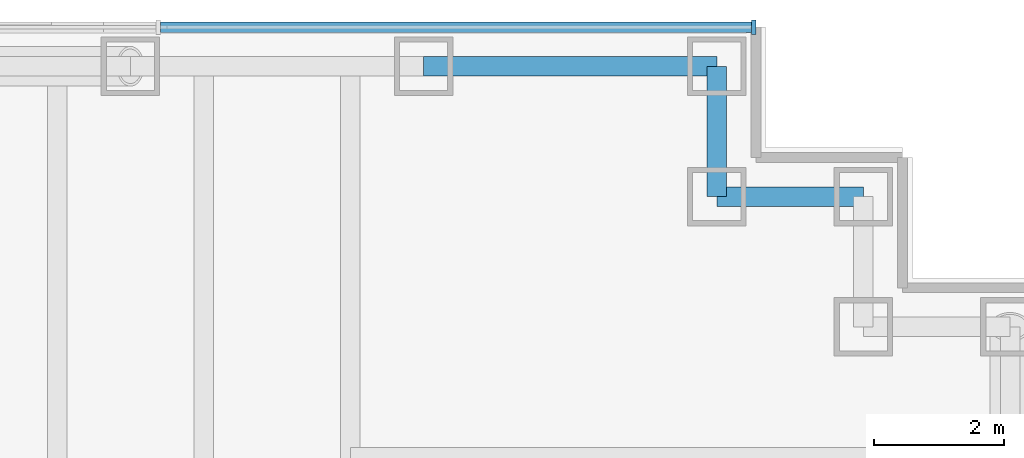
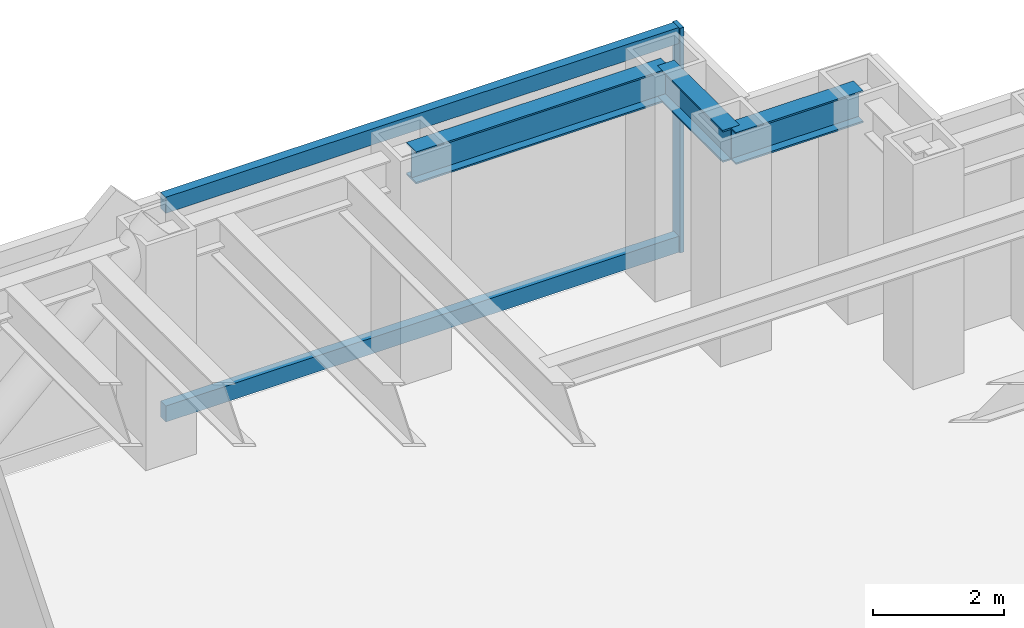
# One storey, part 8 of 14: 3 beams, 3 members, 1 element without a shape of its own.
"""IFC4 building model written with IfcOpenShell, lengths in metres."""

from ifc_helpers import new_model, si_unit, direction, frame, origin, origin_2d, place, context, subcontext, project, spatial, rectangle, i_section, extrude, material, material_profile, profile_set, type_object, element, aggregate, save


model = new_model("IFC4")

# Units and contexts
model_context = context("Model", 3, precision=1e-05, world=origin(), true_north=direction((0.0, 1.0)))
body_context = subcontext(model_context, "Body", "Model", "MODEL_VIEW")
ifc_project = project(units=[si_unit("LENGTHUNIT", "METRE"), si_unit("AREAUNIT", "SQUARE_METRE"), si_unit("VOLUMEUNIT", "CUBIC_METRE"), si_unit("PLANEANGLEUNIT", "RADIAN"), si_unit("MASSUNIT", "GRAM", prefix="KILO")], contexts=[model_context])

# Site, building, storey
site_placement = place(None, origin())
site = spatial("IfcSite", under=ifc_project, at=site_placement, CompositionType="ELEMENT")
building_placement = place(site_placement, origin())
building = spatial("IfcBuilding", under=site, at=building_placement, Name="Rheinbord Bourse Tower", CompositionType="ELEMENT")
storey_placement = place(building_placement, frame((0.0, 0.0, 232.0)))
storey = spatial("IfcBuildingStorey", under=building, at=storey_placement, Name="L52", CompositionType="ELEMENT", Elevation=232.0)

# Curtain wall, members
ifc_material_1 = material(Name="Dark glass and black aluminium", Category="aluminium")
curtain_wall_type = type_object("IfcCurtainWallType", Name="CW2 DARK GLASS CURTAIN WALL", PredefinedType="USERDEFINED", material=ifc_material_1)
curtain_wall_placement = place(storey_placement, origin())
curtain_wall = element("IfcCurtainWall", 1, at=curtain_wall_placement, inside=storey, type_object=curtain_wall_type, Name="Curtain wall CW2 N L52", ObjectType="UNITISED CURTAIN WALL", PredefinedType="USERDEFINED")
ifc_material_2 = material(Name="Black anodised aluminium", Category="aluminium")
ifc_material_profile_1 = material_profile(ifc_material_2, rectangle(XDim=0.219970703125, YDim=0.070068359375, at=origin_2d()), Name="CW2 MULLION 70x220")
ifc_profile_set_1 = profile_set([ifc_material_profile_1], Name="Black anodised aluminium")
member_type_1 = type_object("IfcMemberType", Name="CW2 BLACK MULLION", PredefinedType="MULLION", material=ifc_profile_set_1)
member_1_placement = place(storey_placement, frame((68.06494140625, 44.60009765625, 0.0), z_axis=(0.0, 0.0, 1.0), x_axis=(0.0, -1.0, 0.0)))
member_1 = element("IfcMember", 2, at=member_1_placement, type_object=member_type_1, Name="CW2 mullion 1", PredefinedType="MULLION", context=body_context, shape_type="SweptSolid", body=[
    extrude(rectangle(XDim=0.219970703125, YDim=0.070068359375, at=origin_2d()), origin(), (0.0, 0.0, 1.0), 4.199951171875),
])
ifc_material_3 = material(Name="Black anodised aluminium", Category="aluminium")
ifc_material_profile_2 = material_profile(ifc_material_3, rectangle(XDim=0.159912109375, YDim=0.300048828125, at=origin_2d()), Name="CW2 TRANSOM 300x160")
ifc_profile_set_2 = profile_set([ifc_material_profile_2], Name="Black anodised aluminium")
member_type_2 = type_object("IfcMemberType", Name="CW2 BLACK TRANSOM", PredefinedType="USERDEFINED", material=ifc_profile_set_2)
member_2_placement = place(storey_placement, frame((68.030029296875, 44.60009765625, 0.14990234375), z_axis=(-1.0, 0.0, 0.0), x_axis=(0.0, -1.0, 0.0)))
member_2 = element("IfcMember", 3, at=member_2_placement, type_object=member_type_2, Name="CW2 transom 1.1", ObjectType="TRANSOM", PredefinedType="USERDEFINED", context=body_context, shape_type="SweptSolid", body=[
    extrude(rectangle(XDim=0.159912109375, YDim=0.300048828125, at=origin_2d()), origin(), (0.0, 0.0, 1.0), 9.06640625),
])
member_3_placement = place(storey_placement, frame((68.030029296875, 44.60009765625, 4.050048828125), z_axis=(-1.0, 0.0, 0.0), x_axis=(0.0, -1.0, 0.0)))
member_3 = element("IfcMember", 4, at=member_3_placement, type_object=member_type_2, Name="CW2 transom 1.2", ObjectType="TRANSOM", PredefinedType="USERDEFINED", context=body_context, shape_type="SweptSolid", body=[
    extrude(rectangle(XDim=0.159912109375, YDim=0.300048828125, at=origin_2d()), origin(), (0.0, 0.0, 1.0), 9.06640625),
])
aggregate(curtain_wall, [member_1, member_2, member_3])

# Beams
ifc_material_4 = material(Name="Steel S460", Category="steel")
ifc_material_profile_3 = material_profile(ifc_material_4, i_section(OverallWidth=0.300048828125, OverallDepth=0.60009765625, WebThickness=0.015380859375, FlangeThickness=0.030029296875, at=origin_2d()), Name="HEB 600")
ifc_profile_set_3 = profile_set([ifc_material_profile_3], Name="Steel S460")
beam_type = type_object("IfcBeamType", Name="SPANDREL HEB 600", PredefinedType="SPANDREL", material=ifc_profile_set_3)
beam_1_placement = place(storey_placement, frame((69.75, 42.0, 3.739990234375), z_axis=(-1.0, 0.0, 0.0), x_axis=(0.0, -1.0, 0.0)))
element("IfcBeam", 5, at=beam_1_placement, inside=storey, type_object=beam_type, Name="Spandrel NE-C-NE-D under L53", PredefinedType="SPANDREL", context=body_context, shape_type="SweptSolid", body=[
    extrude(i_section(OverallWidth=0.300048828125, OverallDepth=0.60009765625, WebThickness=0.015380859375, FlangeThickness=0.030029296875, at=origin_2d()), origin(), (0.0, 0.0, 1.0), 2.25),
])
beam_2_placement = place(storey_placement, frame((67.5, 42.0, 3.739990234375), z_axis=(0.0, 1.0, 0.0), x_axis=(-1.0, 0.0, 0.0)))
element("IfcBeam", 6, at=beam_2_placement, inside=storey, type_object=beam_type, Name="Spandrel NE-D-NE-E under L53", PredefinedType="SPANDREL", context=body_context, shape_type="SweptSolid", body=[
    extrude(i_section(OverallWidth=0.300048828125, OverallDepth=0.60009765625, WebThickness=0.015380859375, FlangeThickness=0.030029296875, at=origin_2d()), origin(), (0.0, 0.0, 1.0), 2.0),
])
beam_3_placement = place(storey_placement, frame((67.5, 44.0, 3.739990234375), z_axis=(-1.0, 0.0, 0.0), x_axis=(0.0, -1.0, 0.0)))
element("IfcBeam", 7, at=beam_3_placement, inside=storey, type_object=beam_type, Name="Spandrel NE-E-N-63 under L53", PredefinedType="SPANDREL", context=body_context, shape_type="SweptSolid", body=[
    extrude(i_section(OverallWidth=0.300048828125, OverallDepth=0.60009765625, WebThickness=0.015380859375, FlangeThickness=0.030029296875, at=origin_2d()), origin(), (0.0, 0.0, 1.0), 4.5),
])

save(model, "model.ifc")
